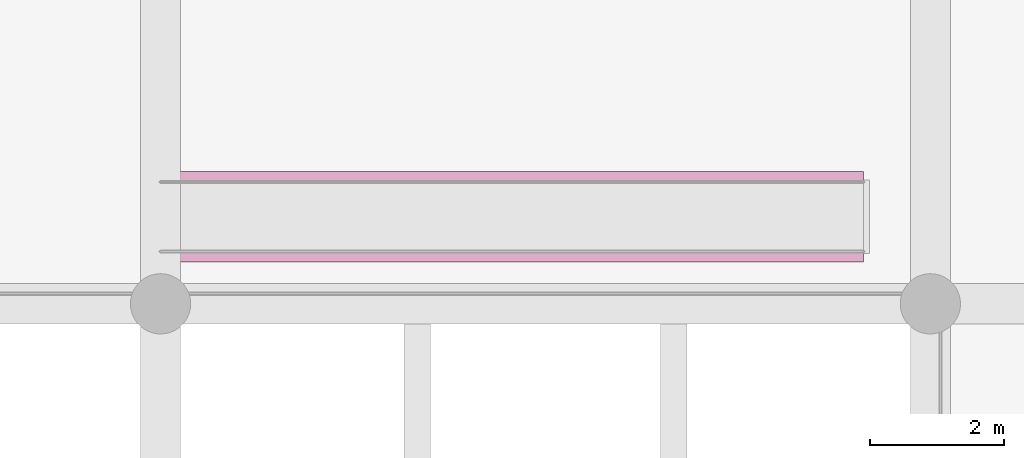
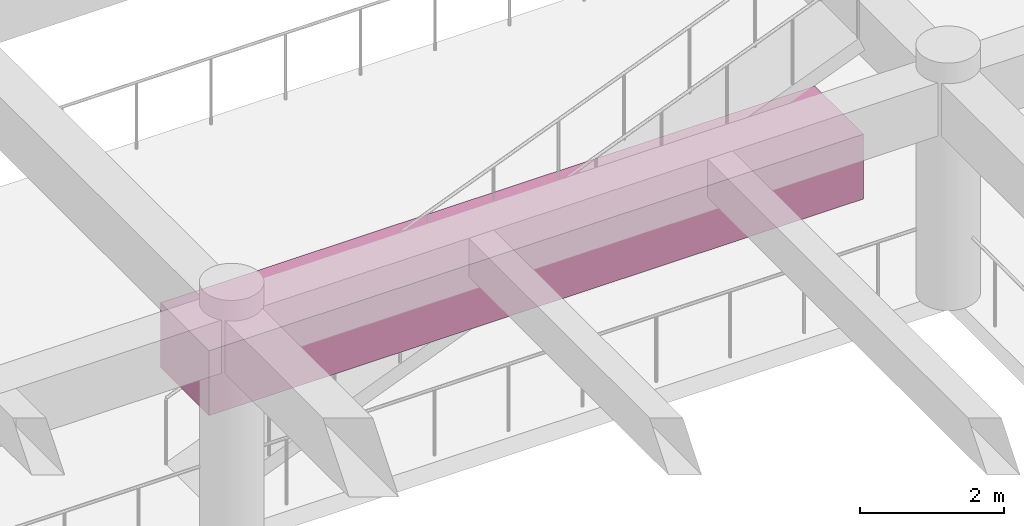
# One storey, part 98 of 98: 1 transport element.
"""IFC4 building model written with IfcOpenShell, lengths in metres."""

import ifcopenshell
import ifcopenshell.guid

model = None  # the IFC model being written
_history = None  # IfcOwnerHistory: only IFC2X3 demands one
_inside = {}  # id of a spatial element -> (the spatial element, [elements in it])
_under = {}  # id of a project, library or spatial element -> (it, [spatial elements below it])
_declared = {}  # id of a project -> (the project, [libraries it declares])
_typed = {}  # id of a type object -> (the type object, [elements of that type])
_made_of = {}  # id of a material, layer set ... -> (it, [elements and type objects made of it])


def new_model(schema):
    """Start an empty IFC model of exactly this schema.

    Asked for "IFC4X3", IfcOpenShell would pick the latest addendum, in which some entities
    have other attributes; the version numbers below select the first issue.
    IFC2X3 requires an IfcOwnerHistory on every rooted entity: one is made here for all.
    """
    global model, _history
    if schema == "IFC4X3":
        model = ifcopenshell.file(schema_version=(4, 3, 0, 0))
    else:
        model = ifcopenshell.file(schema=schema)
    _inside.clear()
    _under.clear()
    _declared.clear()
    _typed.clear()
    _made_of.clear()
    _history = None
    if model.schema == "IFC2X3":
        org = make("IfcOrganization", Name="unknown")
        user = make(
            "IfcPersonAndOrganization",
            ThePerson=make("IfcPerson", FamilyName="unknown"),
            TheOrganization=org,
        )
        app = make(
            "IfcApplication",
            ApplicationDeveloper=org,
            Version="unknown",
            ApplicationFullName="unknown",
            ApplicationIdentifier="unknown",
        )
        _history = make(
            "IfcOwnerHistory",
            OwningUser=user,
            OwningApplication=app,
            ChangeAction="ADDED",
            CreationDate=0,
        )
    return model


def make(cls, **values):
    """One entity of the class cls with the attributes given. An attribute that is None is left unset."""
    return model.create_entity(
        cls, **{name: value for name, value in values.items() if value is not None}
    )


def rooted(cls, **values):
    """An entity with a GlobalId (a new one), such as an element, a storey or a relation."""
    return make(cls, GlobalId=ifcopenshell.guid.new(), OwnerHistory=_history, **values)


def si_unit(unit_type, name, prefix=None):
    """IfcSIUnit, for example si_unit("LENGTHUNIT", "METRE", prefix="MILLI")."""
    return make("IfcSIUnit", UnitType=unit_type, Prefix=prefix, Name=name)


def assignment(units):
    """IfcUnitAssignment: the units of a project."""
    return None if units is None else make("IfcUnitAssignment", Units=units)


def point(xyz):
    """IfcCartesianPoint."""
    return None if xyz is None else make("IfcCartesianPoint", Coordinates=xyz)


def direction(xyz):
    """IfcDirection."""
    return None if xyz is None else make("IfcDirection", DirectionRatios=xyz)


def frame(location, z_axis=None, x_axis=None):
    """IfcAxis2Placement3D, a coordinate frame: its origin and axes. An axis left out is left unset."""
    return make(
        "IfcAxis2Placement3D",
        Location=point(location),
        Axis=direction(z_axis),
        RefDirection=direction(x_axis),
    )


def frame_2d(location, x_axis=None):
    """IfcAxis2Placement2D, a coordinate frame in the plane: its origin and x axis."""
    return make(
        "IfcAxis2Placement2D", Location=point(location), RefDirection=direction(x_axis)
    )


def origin():
    """The frame at (0, 0, 0) with its axes left unset."""
    return frame((0.0, 0.0, 0.0))


def origin_2d():
    """The frame at (0, 0) in the plane with its x axis left unset."""
    return frame_2d((0.0, 0.0))


def place(relative_to, where):
    """IfcLocalPlacement: puts the frame where relative to a parent placement (None: the world)."""
    return make(
        "IfcLocalPlacement", PlacementRelTo=relative_to, RelativePlacement=where
    )


def context(
    kind, dimensions, precision=None, world=None, true_north=None, identifier=None
):
    """IfcGeometricRepresentationContext, for example the 3D "Model" context."""
    return make(
        "IfcGeometricRepresentationContext",
        ContextIdentifier=identifier,
        ContextType=kind,
        CoordinateSpaceDimension=dimensions,
        Precision=precision,
        WorldCoordinateSystem=world,
        TrueNorth=true_north,
    )


def subcontext(parent, identifier, kind, view, scale=None):
    """IfcGeometricRepresentationSubContext, for example "Body" below "Model"."""
    return make(
        "IfcGeometricRepresentationSubContext",
        ContextIdentifier=identifier,
        ContextType=kind,
        ParentContext=parent,
        TargetScale=scale,
        TargetView=view,
    )


def project(units=None, contexts=None):
    """IfcProject with its units and contexts."""
    return rooted(
        "IfcProject",
        Name="project",
        RepresentationContexts=contexts,
        UnitsInContext=assignment(units),
    )


def spatial(cls, under=None, at=None, **own):
    """A site, building, storey or space (cls), placed at a placement, below another one or the project."""
    s = rooted(cls, ObjectPlacement=at, **own)
    if under is not None:
        _under.setdefault(under.id(), (under, []))[1].append(s)
    return s


def profile(cls, at=None, kind="AREA", **sizes):
    """A parametric profile (cls). Its sizes go by their IFC names, for example OverallWidth=200.0."""
    return make(cls, ProfileType=kind, Position=at, **sizes)


def rectangle(**sizes):
    """IfcRectangleProfileDef."""
    return profile("IfcRectangleProfileDef", **sizes)


def extrude(swept, where, along, depth):
    """IfcExtrudedAreaSolid: the profile swept, set in the frame where, extruded along a direction by depth."""
    return make(
        "IfcExtrudedAreaSolid",
        SweptArea=swept,
        Position=where,
        ExtrudedDirection=direction(along),
        Depth=depth,
    )


def shape(context_of_items, identifier, shape_type, items):
    """IfcShapeRepresentation: the items that make up one representation, for example the "Body"."""
    return make(
        "IfcShapeRepresentation",
        ContextOfItems=context_of_items,
        RepresentationIdentifier=identifier,
        RepresentationType=shape_type,
        Items=items,
    )


def material(Name=None, Category=None):
    """IfcMaterial."""
    return make("IfcMaterial", Name=Name, Category=Category)


def made_of(thing, what):
    """Note that an element or type object is made of a material, layer set ...; save() writes the relation."""
    if what is not None:
        _made_of.setdefault(what.id(), (what, []))[1].append(thing)
    return thing


def type_object(cls, material=None, **own):
    """A type object (cls), such as IfcWallType, which elements share."""
    return made_of(rooted(cls, **own), material)


def element(
    cls,
    number,
    at=None,
    inside=None,
    cuts=None,
    type_object=None,
    material=None,
    context=None,
    identifier="Body",
    shape_type=None,
    held_by="IfcProductDefinitionShape",
    body=None,
    shapes=None,
    **own,
):
    """One element of the class cls, such as IfcWall. Its Tag is "e" and its number.

    at: its placement. inside: the storey or other place that contains it. cuts: it is an
    opening in that element (IfcRelVoidsElement). A single representation is given by context,
    identifier, shape_type and body (its items); several are given by shapes. held_by: the class
    of the entity that holds the representations. save() writes the other relations.
    """
    e = rooted(cls, Tag="e%d" % number, ObjectPlacement=at, **own)
    if body is not None:
        shapes = [shape(context, identifier, shape_type, body)]
    if shapes is not None:
        e.Representation = make(held_by, Representations=shapes)
    if inside is not None:
        _inside.setdefault(inside.id(), (inside, []))[1].append(e)
    if cuts is not None:
        rooted(
            "IfcRelVoidsElement", RelatingBuildingElement=cuts, RelatedOpeningElement=e
        )
    if type_object is not None:
        _typed.setdefault(type_object.id(), (type_object, []))[1].append(e)
    return made_of(e, material)


def aggregate(whole, parts):
    """IfcRelAggregates: a whole, such as a stair, and the parts it consists of."""
    return rooted("IfcRelAggregates", RelatingObject=whole, RelatedObjects=parts)


def save(model, path):
    """Write the relations noted so far, then the file.

    IfcRelAggregates (storeys below a building ...), IfcRelContainedInSpatialStructure (elements
    in a storey), IfcRelDefinesByType, IfcRelAssociatesMaterial and IfcRelDeclares: one each for
    every whole, place, type object, material and project.
    """
    for whole, parts in _under.values():
        aggregate(whole, parts)
    for where, things in _inside.values():
        rooted(
            "IfcRelContainedInSpatialStructure",
            RelatedElements=things,
            RelatingStructure=where,
        )
    for kind, things in _typed.values():
        rooted("IfcRelDefinesByType", RelatedObjects=things, RelatingType=kind)
    for what, things in _made_of.values():
        rooted("IfcRelAssociatesMaterial", RelatedObjects=things, RelatingMaterial=what)
    for by, libraries in _declared.values():
        rooted("IfcRelDeclares", RelatingContext=by, RelatedDefinitions=libraries)
    model.write(path)


model = new_model("IFC4")

# Units and contexts
model_context = context("Model", 3, precision=1e-05, world=origin(), true_north=direction((0.0, 1.0)))
body_context = subcontext(model_context, "Body", "Model", "MODEL_VIEW")
ifc_project = project(units=[si_unit("LENGTHUNIT", "METRE"), si_unit("AREAUNIT", "SQUARE_METRE"), si_unit("VOLUMEUNIT", "CUBIC_METRE"), si_unit("PLANEANGLEUNIT", "RADIAN"), si_unit("MASSUNIT", "GRAM", prefix="KILO")], contexts=[model_context])

# Site, building, storey
site_placement = place(None, origin())
site = spatial("IfcSite", under=ifc_project, at=site_placement, CompositionType="ELEMENT")
building_placement = place(site_placement, origin())
building = spatial("IfcBuilding", under=site, at=building_placement, Name="Ologun Quay Terminus", CompositionType="ELEMENT")
storey_placement = place(building_placement, frame((0.0, 0.0, 4.199951171875)))
storey = spatial("IfcBuildingStorey", under=building, at=storey_placement, Name="L01", CompositionType="ELEMENT", Elevation=4.199951171875)

# Transport element
ifc_material = material(Name="Steel S355", Category="steel")
transport_element_type = type_object("IfcTransportElementType", Name="Heavy-Duty Transit Escalator 1000", PredefinedType="ESCALATOR", material=ifc_material)
transport_element_placement = place(storey_placement, frame((108.75, 28.5, 1.550048828125), z_axis=(0.0, 0.0, 1.0), x_axis=(1.0, 0.0, 0.0)))
element("IfcTransportElement", 1, at=transport_element_placement, inside=storey, type_object=transport_element_type, Name="Transit Escalator ESC-06", PredefinedType="ESCALATOR", context=body_context, shape_type="SweptSolid", body=[
    extrude(rectangle(XDim=10.5, YDim=1.35009765625, at=origin_2d()), origin(), (0.0, 0.0, 1.0), 1.10009765625),
])

save(model, "model.ifc")
